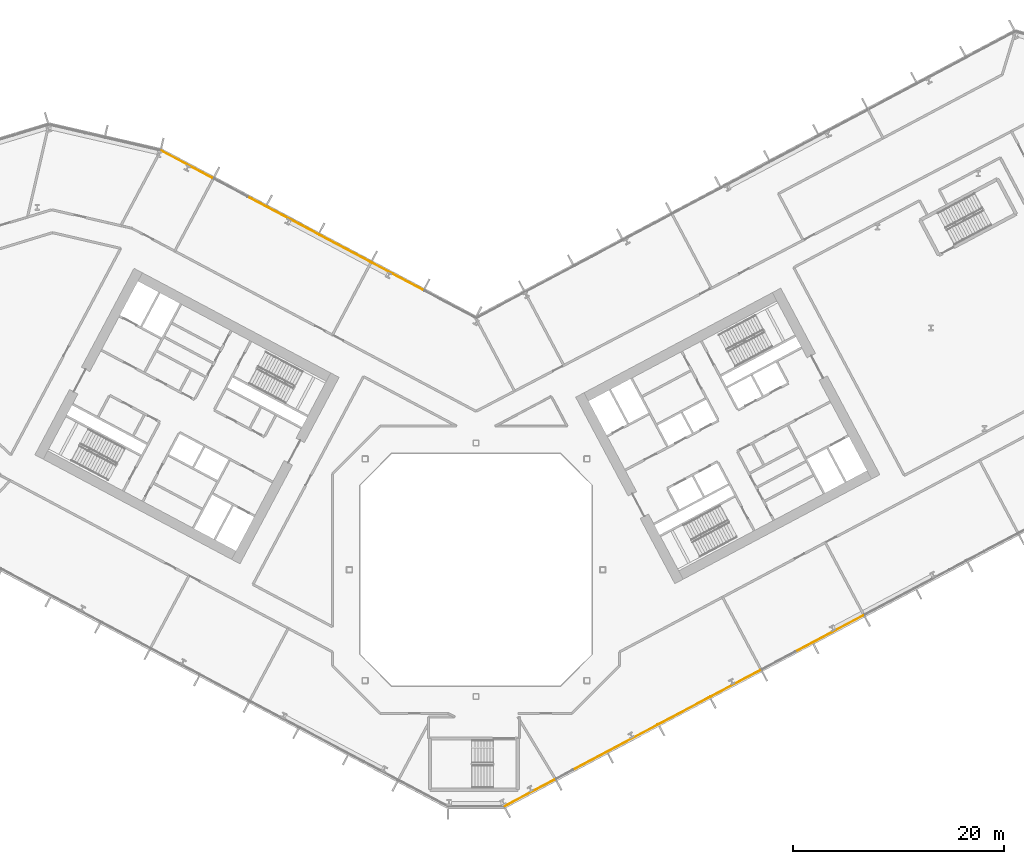
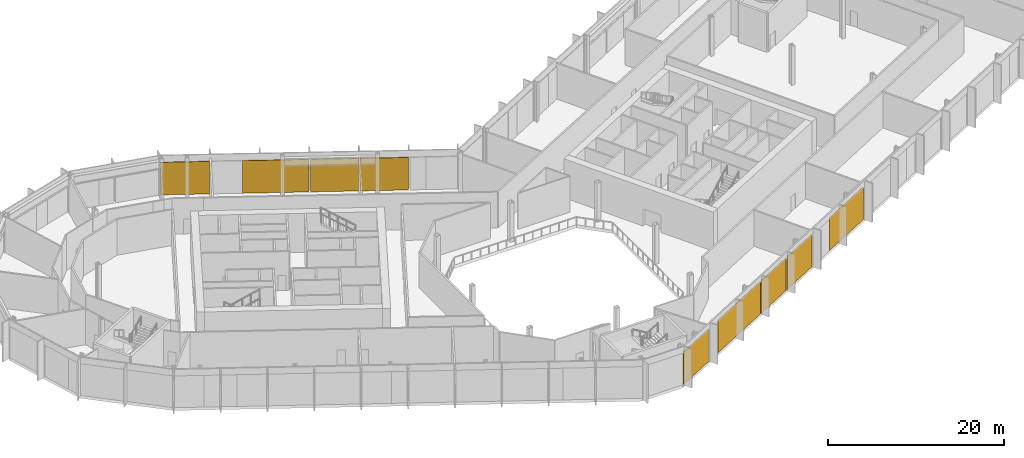
# One storey, part 26 of 31: 9 coverings, 2 elements without a shape of their own.
"""IFC4 building model written with IfcOpenShell, lengths in metres."""

from ifc_helpers import new_model, si_unit, direction, frame, origin, origin_2d, place, context, subcontext, project, spatial, rectangle, extrude, material, layer, layer_set, type_object, element, aggregate, save


model = new_model("IFC4")

# Units and contexts
model_context = context("Model", 3, precision=1e-05, world=origin(), true_north=direction((0.0, 1.0)))
body_context = subcontext(model_context, "Body", "Model", "MODEL_VIEW")
ifc_project = project(units=[si_unit("LENGTHUNIT", "METRE"), si_unit("AREAUNIT", "SQUARE_METRE"), si_unit("VOLUMEUNIT", "CUBIC_METRE"), si_unit("PLANEANGLEUNIT", "RADIAN"), si_unit("MASSUNIT", "GRAM", prefix="KILO")], contexts=[model_context])

# Site, building, storey
site_placement = place(None, origin())
site = spatial("IfcSite", under=ifc_project, at=site_placement, CompositionType="ELEMENT")
building_placement = place(site_placement, origin())
building = spatial("IfcBuilding", under=site, at=building_placement, Name="Cormorant Relay Tower", CompositionType="ELEMENT")
storey_placement = place(building_placement, frame((0.0, 0.0, 12.199951171875)))
storey = spatial("IfcBuildingStorey", under=building, at=storey_placement, Name="L02", CompositionType="ELEMENT", Elevation=12.199951171875)

# Curtain wall, coverings
ifc_material_1 = material(Name="Aluminium 6063-T6 anodised bronze", Category="aluminium")
ifc_layer_1 = layer(ifc_material_1, 0.235107421875)
ifc_layer_set_1 = layer_set([ifc_layer_1], Name="CW6 data hall curtain wall with mineral wool panels")
curtain_wall_type = type_object("IfcCurtainWallType", Name="CW6 data hall curtain wall with mineral wool panels", PredefinedType="NOTDEFINED", material=ifc_layer_set_1)
curtain_wall_1_placement = place(storey_placement, origin())
curtain_wall_1 = element("IfcCurtainWall", 1, at=curtain_wall_1_placement, inside=storey, type_object=curtain_wall_type, Name="CW6 curtain wall 2", PredefinedType="NOTDEFINED")
ifc_material_2 = material(Name="Mineral wool cored anodised bronze aluminium cassette panel", Category="aluminium")
ifc_layer_2 = layer(ifc_material_2, 0.074951171875)
ifc_layer_set_2 = layer_set([ifc_layer_2], Name="CW6 mineral wool cassette panel 75")
covering_type = type_object("IfcCoveringType", Name="CW6 mineral wool cassette panel 75", PredefinedType="CLADDING", material=ifc_layer_set_2)
covering_1_placement = place(storey_placement, frame((5.099853515625, -21.11474609375, 0.0), z_axis=(0.0, 0.0, 1.0), x_axis=(0.882947592859, 0.469471562786, 0.0)))
covering_1 = element("IfcCovering", 2, at=covering_1_placement, type_object=covering_type, Name="CW6 panel S00", PredefinedType="CLADDING", context=body_context, shape_type="SweptSolid", body=[
    extrude(rectangle(XDim=5.36181640625, YDim=0.074951171875, at=origin_2d()), origin(), (0.0, 0.0, 1.0), 4.5),
])
covering_2_placement = place(storey_placement, frame((13.1943359375, -16.810791015625, 0.0), z_axis=(0.0, 0.0, 1.0), x_axis=(0.882947592859, 0.469471562786, 0.0)))
covering_2 = element("IfcCovering", 3, at=covering_2_placement, type_object=covering_type, Name="CW6 panel S02", PredefinedType="CLADDING", context=body_context, shape_type="SweptSolid", body=[
    extrude(rectangle(XDim=9.07373046875, YDim=0.074951171875, at=origin_2d()), origin(), (0.0, 0.0, 1.0), 4.5),
])
covering_3_placement = place(storey_placement, frame((19.69970703125, -13.351806640625, 0.0), z_axis=(0.0, 0.0, 1.0), x_axis=(0.882947592859, 0.469471562786, 0.0)))
covering_3 = element("IfcCovering", 4, at=covering_3_placement, type_object=covering_type, Name="CW6 panel S03", PredefinedType="CLADDING", context=body_context, shape_type="SweptSolid", body=[
    extrude(rectangle(XDim=5.36181640625, YDim=0.074951171875, at=origin_2d()), origin(), (0.0, 0.0, 1.0), 4.5),
])
covering_4_placement = place(storey_placement, frame((24.56640625, -10.76416015625, 0.0), z_axis=(0.0, 0.0, 1.0), x_axis=(0.882947592859, 0.469471562786, 0.0)))
covering_4 = element("IfcCovering", 5, at=covering_4_placement, type_object=covering_type, Name="CW6 panel S04", PredefinedType="CLADDING", context=body_context, shape_type="SweptSolid", body=[
    extrude(rectangle(XDim=5.36181640625, YDim=0.074951171875, at=origin_2d()), origin(), (0.0, 0.0, 1.0), 4.5),
])
covering_5_placement = place(storey_placement, frame((33.455810546875, -6.03759765625, 0.0), z_axis=(0.0, 0.0, 1.0), x_axis=(0.882947592859, 0.469471562786, 0.0)))
covering_5 = element("IfcCovering", 6, at=covering_5_placement, type_object=covering_type, Name="CW6 panel S06", PredefinedType="CLADDING", context=body_context, shape_type="SweptSolid", body=[
    extrude(rectangle(XDim=7.273681640625, YDim=0.074951171875, at=origin_2d()), origin(), (0.0, 0.0, 1.0), 4.5),
])
aggregate(curtain_wall_1, [covering_1, covering_2, covering_3, covering_4, covering_5])

curtain_wall_2_placement = place(storey_placement, origin())
curtain_wall_2 = element("IfcCurtainWall", 7, at=curtain_wall_2_placement, inside=storey, type_object=curtain_wall_type, Name="CW6 curtain wall 7", PredefinedType="NOTDEFINED")
covering_6_placement = place(storey_placement, frame((-7.45068359375, 27.7880859375, 0.0), z_axis=(0.0, 0.0, 1.0), x_axis=(-0.882947592859, 0.469471562786, 0.0)))
covering_6 = element("IfcCovering", 8, at=covering_6_placement, type_object=covering_type, Name="CW6 panel S02", PredefinedType="CLADDING", context=body_context, shape_type="SweptSolid", body=[
    extrude(rectangle(XDim=5.489013671875, YDim=0.074951171875, at=origin_2d()), origin(), (0.0, 0.0, 1.0), 4.5),
])
covering_7_placement = place(storey_placement, frame((-12.4296875, 30.435546875, 0.0), z_axis=(0.0, 0.0, 1.0), x_axis=(-0.882947592859, 0.469471562786, 0.0)))
covering_7 = element("IfcCovering", 9, at=covering_7_placement, type_object=covering_type, Name="CW6 panel S03", PredefinedType="CLADDING", context=body_context, shape_type="SweptSolid", body=[
    extrude(rectangle(XDim=5.489013671875, YDim=0.074951171875, at=origin_2d()), origin(), (0.0, 0.0, 1.0), 4.5),
])
covering_8_placement = place(storey_placement, frame((-18.308837890625, 33.5615234375, 0.0), z_axis=(0.0, 0.0, 1.0), x_axis=(-0.882947592859, 0.469471562786, 0.0)))
covering_8 = element("IfcCovering", 10, at=covering_8_placement, type_object=covering_type, Name="CW6 panel S04", PredefinedType="CLADDING", context=body_context, shape_type="SweptSolid", body=[
    extrude(rectangle(XDim=7.528076171875, YDim=0.074951171875, at=origin_2d()), origin(), (0.0, 0.0, 1.0), 4.5),
])
covering_9_placement = place(storey_placement, frame((-27.39990234375, 38.395263671875, 0.0), z_axis=(0.0, 0.0, 1.0), x_axis=(-0.882947592859, 0.469471562786, 0.0)))
covering_9 = element("IfcCovering", 11, at=covering_9_placement, type_object=covering_type, Name="CW6 panel S06", PredefinedType="CLADDING", context=body_context, shape_type="SweptSolid", body=[
    extrude(rectangle(XDim=5.56396484375, YDim=0.074951171875, at=origin_2d()), origin(), (0.0, 0.0, 1.0), 4.5),
])
aggregate(curtain_wall_2, [covering_6, covering_7, covering_8, covering_9])

save(model, "model.ifc")
